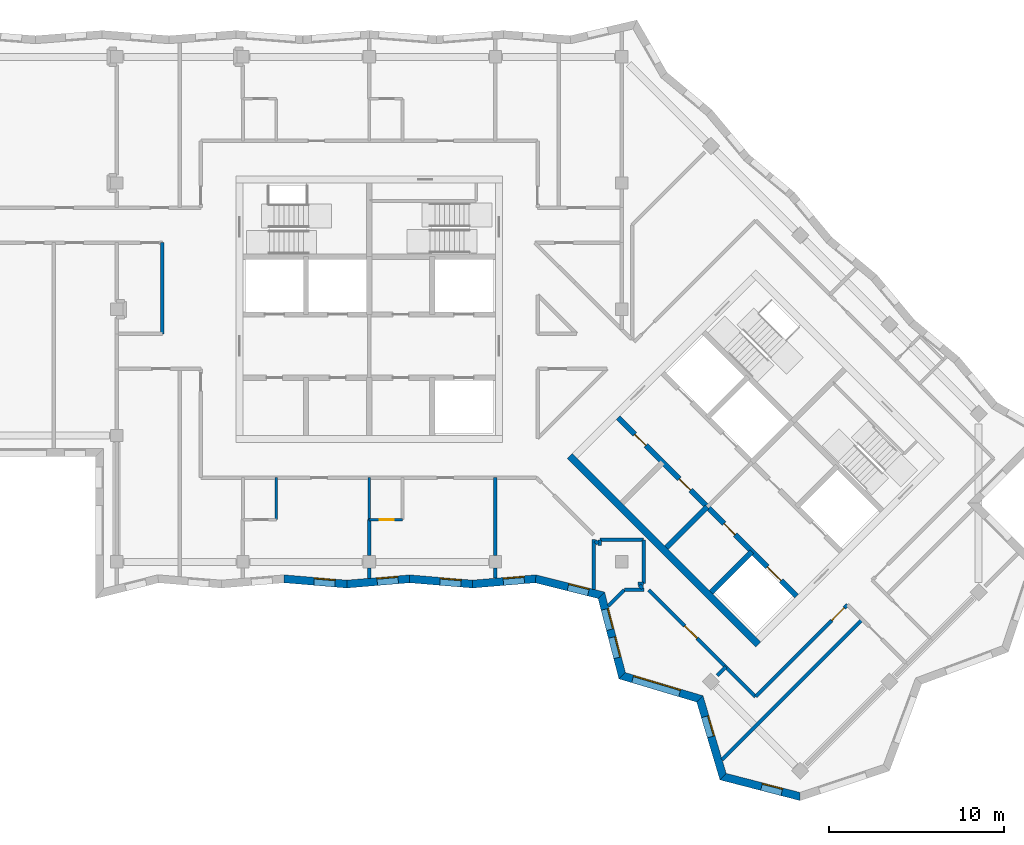
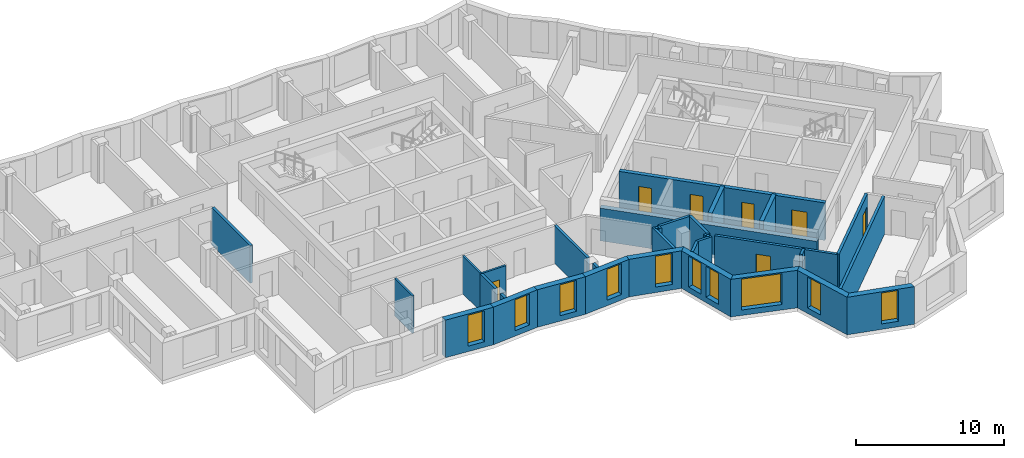
# One storey, part 3 of 13: 34 walls, 10 windows, 7 doors, 17 openings.
"""IFC4 building model written with IfcOpenShell, lengths in metres."""

from ifc_helpers import new_model, si_unit, direction, frame, frame_2d, origin, place, context, subcontext, project, spatial, polyline, rectangle, outline, extrude, material, layer, layer_set, type_object, element, fill, save


model = new_model("IFC4")

# Units and contexts
model_context = context("Model", 3, precision=1e-05, world=origin(), true_north=direction((0.0, 1.0)))
body_context = subcontext(model_context, "Body", "Model", "MODEL_VIEW")
ifc_project = project(units=[si_unit("LENGTHUNIT", "METRE"), si_unit("AREAUNIT", "SQUARE_METRE"), si_unit("VOLUMEUNIT", "CUBIC_METRE"), si_unit("PLANEANGLEUNIT", "RADIAN"), si_unit("MASSUNIT", "GRAM", prefix="KILO")], contexts=[model_context])

# Site, building, storey
site_placement = place(None, origin())
site = spatial("IfcSite", under=ifc_project, at=site_placement, CompositionType="ELEMENT")
building_placement = place(site_placement, origin())
building = spatial("IfcBuilding", under=site, at=building_placement, Name="Windrow Commons", CompositionType="ELEMENT")
storey_placement = place(building_placement, frame((0.0, 0.0, 243.8)))
storey = spatial("IfcBuildingStorey", under=building, at=storey_placement, Name="L66", CompositionType="ELEMENT", Elevation=243.8)

# Wall, opening, window
ifc_material_1 = material(Name="Brick masonry, red clay brick", Category="masonry")
ifc_layer_1 = layer(ifc_material_1, 0.45)
ifc_layer_set_1 = layer_set([ifc_layer_1], Name="Brick facade wall 450")
wall_type_1 = type_object("IfcWallType", Name="Brick facade wall 450", PredefinedType="SOLIDWALL", material=ifc_layer_set_1)
wall_1_placement = place(storey_placement, frame((59.946, 42.2258, 0.0), z_axis=(0.0, 0.0, 1.0), x_axis=(0.9965109432, -0.083462208, 0.0)))
wall_1 = element("IfcWall", 1, at=wall_1_placement, inside=storey, type_object=wall_type_1, Name="Brick facade wall L66 41", PredefinedType="SOLIDWALL", context=body_context, shape_type="SweptSolid", body=[
    extrude(outline(polyline([(0.0188, -0.225), (3.6134, -0.225), (3.5757, 0.225), (-0.0188, 0.225), (0.0188, -0.225)])), origin(), (0.0, 0.0, 1.0), 3.1),
])
opening_1_placement = place(wall_1_placement, frame((1.7171, 0.0, 0.45)))
opening_1 = element("IfcOpeningElement", 2, at=opening_1_placement, cuts=wall_1, Name="Opening W7F", PredefinedType="OPENING", context=body_context, shape_type="SweptSolid", body=[
    extrude(rectangle(XDim=1.2, YDim=2.55, at=frame_2d((0.6, 1.275))), frame((0.0, 0.235, 0.0), z_axis=(0.0, -1.0, 0.0), x_axis=(1.0, 0.0, 0.0)), (0.0, 0.0, 1.0), 0.47),
])
ifc_material_2 = material(Name="Clear float glass in anodised aluminium frame", Category="aluminium")
window_type_1 = type_object("IfcWindowType", Name="Window W7 notch 1200x2550", PartitioningType="SINGLE_PANEL", PredefinedType="WINDOW", material=ifc_material_2)
window_1_placement = place(opening_1_placement, origin())
window_1 = element("IfcWindow", 3, at=window_1_placement, inside=storey, type_object=window_type_1, Name="Window L66 41.1", OverallHeight=2.55, OverallWidth=1.2, PartitioningType="SINGLE_PANEL", PredefinedType="WINDOW", context=body_context, shape_type="SweptSolid", body=[
    extrude(rectangle(XDim=1.2, YDim=2.55, at=frame_2d((0.6, 1.275))), frame((0.0, 0.205, 0.0), z_axis=(0.0, -1.0, 0.0), x_axis=(1.0, 0.0, 0.0)), (0.0, 0.0, 1.0), 0.06),
])
fill(opening_1, window_1)

wall_2_placement = place(storey_placement, frame((63.5279, 41.9258, 0.0), z_axis=(0.0, 0.0, 1.0), x_axis=(0.9965111369, 0.0834598942, 0.0)))
wall_2 = element("IfcWall", 4, at=wall_2_placement, inside=storey, type_object=wall_type_1, Name="Brick facade wall L66 42", PredefinedType="SOLIDWALL", context=body_context, shape_type="SweptSolid", body=[
    extrude(outline(polyline([(-0.0188, -0.225), (3.5757, -0.225), (3.6134, 0.225), (0.0188, 0.225), (-0.0188, -0.225)])), origin(), (0.0, 0.0, 1.0), 3.1),
])
opening_2_placement = place(wall_2_placement, frame((1.7355, 0.0, 0.45)))
opening_2 = element("IfcOpeningElement", 5, at=opening_2_placement, cuts=wall_2, Name="Opening W7F", PredefinedType="OPENING", context=body_context, shape_type="SweptSolid", body=[
    extrude(rectangle(XDim=1.2, YDim=2.55, at=frame_2d((0.6, 1.275))), frame((0.0, 0.235, 0.0), z_axis=(0.0, -1.0, 0.0), x_axis=(1.0, 0.0, 0.0)), (0.0, 0.0, 1.0), 0.47),
])
window_2_placement = place(opening_2_placement, origin())
window_2 = element("IfcWindow", 6, at=window_2_placement, inside=storey, type_object=window_type_1, Name="Window L66 42.1", OverallHeight=2.55, OverallWidth=1.2, PartitioningType="SINGLE_PANEL", PredefinedType="WINDOW", context=body_context, shape_type="SweptSolid", body=[
    extrude(rectangle(XDim=1.2, YDim=2.55, at=frame_2d((0.6, 1.275))), frame((0.0, 0.205, 0.0), z_axis=(0.0, -1.0, 0.0), x_axis=(1.0, 0.0, 0.0)), (0.0, 0.0, 1.0), 0.06),
])
fill(opening_2, window_2)

wall_3_placement = place(storey_placement, frame((67.1099, 42.2258, 0.0), z_axis=(0.0, 0.0, 1.0), x_axis=(0.9965111369, -0.0834598942, 0.0)))
wall_3 = element("IfcWall", 7, at=wall_3_placement, inside=storey, type_object=wall_type_1, Name="Brick facade wall L66 43", PredefinedType="SOLIDWALL", context=body_context, shape_type="SweptSolid", body=[
    extrude(outline(polyline([(0.0188, -0.225), (3.6134, -0.225), (3.5757, 0.225), (-0.0188, 0.225), (0.0188, -0.225)])), origin(), (0.0, 0.0, 1.0), 3.1),
])
opening_3_placement = place(wall_3_placement, frame((1.7351, 0.0, 0.45)))
opening_3 = element("IfcOpeningElement", 8, at=opening_3_placement, cuts=wall_3, Name="Opening W7F", PredefinedType="OPENING", context=body_context, shape_type="SweptSolid", body=[
    extrude(rectangle(XDim=1.2, YDim=2.55, at=frame_2d((0.6, 1.275))), frame((0.0, 0.235, 0.0), z_axis=(0.0, -1.0, 0.0), x_axis=(1.0, 0.0, 0.0)), (0.0, 0.0, 1.0), 0.47),
])
window_3_placement = place(opening_3_placement, origin())
window_3 = element("IfcWindow", 9, at=window_3_placement, inside=storey, type_object=window_type_1, Name="Window L66 43.1", OverallHeight=2.55, OverallWidth=1.2, PartitioningType="SINGLE_PANEL", PredefinedType="WINDOW", context=body_context, shape_type="SweptSolid", body=[
    extrude(rectangle(XDim=1.2, YDim=2.55, at=frame_2d((0.6, 1.275))), frame((0.0, 0.205, 0.0), z_axis=(0.0, -1.0, 0.0), x_axis=(1.0, 0.0, 0.0)), (0.0, 0.0, 1.0), 0.06),
])
fill(opening_3, window_3)

wall_4_placement = place(storey_placement, frame((70.6919, 41.9258, 0.0), z_axis=(0.0, 0.0, 1.0), x_axis=(0.9965122743, 0.0834463132, 0.0)))
wall_4 = element("IfcWall", 10, at=wall_4_placement, inside=storey, type_object=wall_type_1, Name="Brick facade wall L66 44", PredefinedType="SOLIDWALL", context=body_context, shape_type="SweptSolid", body=[
    extrude(outline(polyline([(-0.0188, -0.225), (3.5757, -0.225), (3.6506, 0.225), (0.0188, 0.225), (-0.0188, -0.225)])), origin(), (0.0, 0.0, 1.0), 3.1),
])
opening_4_placement = place(wall_4_placement, frame((1.7629, 0.0, 0.45)))
opening_4 = element("IfcOpeningElement", 11, at=opening_4_placement, cuts=wall_4, Name="Opening W7F", PredefinedType="OPENING", context=body_context, shape_type="SweptSolid", body=[
    extrude(rectangle(XDim=1.2, YDim=2.55, at=frame_2d((0.6, 1.275))), frame((0.0, 0.235, 0.0), z_axis=(0.0, -1.0, 0.0), x_axis=(1.0, 0.0, 0.0)), (0.0, 0.0, 1.0), 0.47),
])
window_4_placement = place(opening_4_placement, origin())
window_4 = element("IfcWindow", 12, at=window_4_placement, inside=storey, type_object=window_type_1, Name="Window L66 44.1", OverallHeight=2.55, OverallWidth=1.2, PartitioningType="SINGLE_PANEL", PredefinedType="WINDOW", context=body_context, shape_type="SweptSolid", body=[
    extrude(rectangle(XDim=1.2, YDim=2.55, at=frame_2d((0.6, 1.275))), frame((0.0, 0.205, 0.0), z_axis=(0.0, -1.0, 0.0), x_axis=(1.0, 0.0, 0.0)), (0.0, 0.0, 1.0), 0.06),
])
fill(opening_4, window_4)

wall_5_placement = place(storey_placement, frame((74.2924, 42.2273, 0.0), z_axis=(0.0, 0.0, 1.0), x_axis=(0.9698602389, -0.2436618909, 0.0)))
wall_5 = element("IfcWall", 13, at=wall_5_placement, inside=storey, type_object=wall_type_1, Name="Brick facade wall L66 45", PredefinedType="SOLIDWALL", context=body_context, shape_type="SweptSolid", body=[
    extrude(outline(polyline([(0.0374, -0.225), (3.7308, -0.225), (3.9979, 0.225), (-0.0374, 0.225), (0.0374, -0.225)])), origin(), (0.0, 0.0, 1.0), 3.1),
])
opening_5_placement = place(wall_5_placement, frame((1.9063, 0.0, 0.45)))
opening_5 = element("IfcOpeningElement", 14, at=opening_5_placement, cuts=wall_5, Name="Opening W7F", PredefinedType="OPENING", context=body_context, shape_type="SweptSolid", body=[
    extrude(rectangle(XDim=1.2, YDim=2.55, at=frame_2d((0.6, 1.275))), frame((0.0, 0.235, 0.0), z_axis=(0.0, -1.0, 0.0), x_axis=(1.0, 0.0, 0.0)), (0.0, 0.0, 1.0), 0.47),
])
window_5_placement = place(opening_5_placement, origin())
window_5 = element("IfcWindow", 15, at=window_5_placement, inside=storey, type_object=window_type_1, Name="Window L66 45.1", OverallHeight=2.55, OverallWidth=1.2, PartitioningType="SINGLE_PANEL", PredefinedType="WINDOW", context=body_context, shape_type="SweptSolid", body=[
    extrude(rectangle(XDim=1.2, YDim=2.55, at=frame_2d((0.6, 1.275))), frame((0.0, 0.205, 0.0), z_axis=(0.0, -1.0, 0.0), x_axis=(1.0, 0.0, 0.0)), (0.0, 0.0, 1.0), 0.06),
])
fill(opening_5, window_5)

# Wall, openings, windows
wall_6_placement = place(storey_placement, frame((78.0403, 41.2857, 0.0), z_axis=(0.0, 0.0, 1.0), x_axis=(0.2504616436, -0.9681265233, 0.0)))
wall_6 = element("IfcWall", 16, at=wall_6_placement, inside=storey, type_object=wall_type_1, Name="Brick facade wall L66 46", PredefinedType="SOLIDWALL", context=body_context, shape_type="SweptSolid", body=[
    extrude(outline(polyline([(0.1336, -0.225), (4.863, -0.225), (4.6091, 0.225), (-0.1336, 0.225), (0.1336, -0.225)])), origin(), (0.0, 0.0, 1.0), 3.1),
])
opening_6_placement = place(wall_6_placement, frame((0.8206, 0.0, 0.45)))
opening_6 = element("IfcOpeningElement", 17, at=opening_6_placement, cuts=wall_6, Name="Opening W7F", PredefinedType="OPENING", context=body_context, shape_type="SweptSolid", body=[
    extrude(rectangle(XDim=1.2, YDim=2.55, at=frame_2d((0.6, 1.275))), frame((0.0, 0.235, 0.0), z_axis=(0.0, -1.0, 0.0), x_axis=(1.0, 0.0, 0.0)), (0.0, 0.0, 1.0), 0.47),
])
opening_7_placement = place(wall_6_placement, frame((2.4751, 0.0, 0.45)))
opening_7 = element("IfcOpeningElement", 18, at=opening_7_placement, cuts=wall_6, Name="Opening W7F", PredefinedType="OPENING", context=body_context, shape_type="SweptSolid", body=[
    extrude(rectangle(XDim=1.2, YDim=2.55, at=frame_2d((0.6, 1.275))), frame((0.0, 0.235, 0.0), z_axis=(0.0, -1.0, 0.0), x_axis=(1.0, 0.0, 0.0)), (0.0, 0.0, 1.0), 0.47),
])
window_6_placement = place(opening_6_placement, origin())
window_6 = element("IfcWindow", 19, at=window_6_placement, inside=storey, type_object=window_type_1, Name="Window L66 46.1", OverallHeight=2.55, OverallWidth=1.2, PartitioningType="SINGLE_PANEL", PredefinedType="WINDOW", context=body_context, shape_type="SweptSolid", body=[
    extrude(rectangle(XDim=1.2, YDim=2.55, at=frame_2d((0.6, 1.275))), frame((0.0, 0.205, 0.0), z_axis=(0.0, -1.0, 0.0), x_axis=(1.0, 0.0, 0.0)), (0.0, 0.0, 1.0), 0.06),
])
fill(opening_6, window_6)
window_7_placement = place(opening_7_placement, origin())
window_7 = element("IfcWindow", 20, at=window_7_placement, inside=storey, type_object=window_type_1, Name="Window L66 46.2", OverallHeight=2.55, OverallWidth=1.2, PartitioningType="SINGLE_PANEL", PredefinedType="WINDOW", context=body_context, shape_type="SweptSolid", body=[
    extrude(rectangle(XDim=1.2, YDim=2.55, at=frame_2d((0.6, 1.275))), frame((0.0, 0.205, 0.0), z_axis=(0.0, -1.0, 0.0), x_axis=(1.0, 0.0, 0.0)), (0.0, 0.0, 1.0), 0.06),
])
fill(opening_7, window_7)

# Wall, opening, window
wall_7_placement = place(storey_placement, frame((79.2265, 36.7006, 0.0), z_axis=(0.0, 0.0, 1.0), x_axis=(0.9581351334, -0.2863163742, 0.0)))
wall_7 = element("IfcWall", 21, at=wall_7_placement, inside=storey, type_object=wall_type_1, Name="Brick facade wall L66 47", PredefinedType="SOLIDWALL", context=body_context, shape_type="SweptSolid", body=[
    extrude(outline(polyline([(-0.1269, -0.225), (4.5042, -0.225), (4.7471, 0.225), (0.1269, 0.225), (-0.1269, -0.225)])), origin(), (0.0, 0.0, 1.0), 3.1),
])
opening_8_placement = place(wall_7_placement, frame((0.6283, 0.0, 0.45)))
opening_8 = element("IfcOpeningElement", 22, at=opening_8_placement, cuts=wall_7, Name="Opening W1V", PredefinedType="OPENING", context=body_context, shape_type="SweptSolid", body=[
    extrude(rectangle(XDim=2.8, YDim=2.55, at=frame_2d((1.4, 1.275))), frame((0.0, 0.235, 0.0), z_axis=(0.0, -1.0, 0.0), x_axis=(1.0, 0.0, 0.0)), (0.0, 0.0, 1.0), 0.47),
])
ifc_material_3 = material(Name="Clear float glass in anodised aluminium frame", Category="aluminium")
window_type_2 = type_object("IfcWindowType", Name="Window W1V bedroom 2800x2550", PartitioningType="SINGLE_PANEL", PredefinedType="WINDOW", material=ifc_material_3)
window_8_placement = place(opening_8_placement, origin())
window_8 = element("IfcWindow", 23, at=window_8_placement, inside=storey, type_object=window_type_2, Name="Window L66 47.1", OverallHeight=2.55, OverallWidth=2.8, PartitioningType="SINGLE_PANEL", PredefinedType="WINDOW", context=body_context, shape_type="SweptSolid", body=[
    extrude(rectangle(XDim=2.8, YDim=2.55, at=frame_2d((1.4, 1.275))), frame((0.0, 0.205, 0.0), z_axis=(0.0, -1.0, 0.0), x_axis=(1.0, 0.0, 0.0)), (0.0, 0.0, 1.0), 0.06),
])
fill(opening_8, window_8)

wall_8_placement = place(storey_placement, frame((83.6585, 35.3762, 0.0), z_axis=(0.0, 0.0, 1.0), x_axis=(0.2863163742, -0.9581351334, 0.0)))
wall_8 = element("IfcWall", 24, at=wall_8_placement, inside=storey, type_object=wall_type_1, Name="Brick facade wall L66 48", PredefinedType="SOLIDWALL", context=body_context, shape_type="SweptSolid", body=[
    extrude(outline(polyline([(0.1215, -0.225), (4.7526, -0.225), (4.4987, 0.225), (-0.1215, 0.225), (0.1215, -0.225)])), origin(), (0.0, 0.0, 1.0), 3.1),
])
opening_9_placement = place(wall_8_placement, frame((1.0531, 0.0, 0.45)))
opening_9 = element("IfcOpeningElement", 25, at=opening_9_placement, cuts=wall_8, Name="Opening W7F", PredefinedType="OPENING", context=body_context, shape_type="SweptSolid", body=[
    extrude(rectangle(XDim=1.2, YDim=2.55, at=frame_2d((0.6, 1.275))), frame((0.0, 0.235, 0.0), z_axis=(0.0, -1.0, 0.0), x_axis=(1.0, 0.0, 0.0)), (0.0, 0.0, 1.0), 0.47),
])
window_9_placement = place(opening_9_placement, origin())
window_9 = element("IfcWindow", 26, at=window_9_placement, inside=storey, type_object=window_type_1, Name="Window L66 48.1", OverallHeight=2.55, OverallWidth=1.2, PartitioningType="SINGLE_PANEL", PredefinedType="WINDOW", context=body_context, shape_type="SweptSolid", body=[
    extrude(rectangle(XDim=1.2, YDim=2.55, at=frame_2d((0.6, 1.275))), frame((0.0, 0.205, 0.0), z_axis=(0.0, -1.0, 0.0), x_axis=(1.0, 0.0, 0.0)), (0.0, 0.0, 1.0), 0.06),
])
fill(opening_9, window_9)

wall_9_placement = place(storey_placement, frame((84.9829, 30.9442, 0.0), z_axis=(0.0, 0.0, 1.0), x_axis=(0.9681259004, -0.2504640514, 0.0)))
wall_9 = element("IfcWall", 27, at=wall_9_placement, inside=storey, type_object=wall_type_1, Name="Brick facade wall L66 49", PredefinedType="SOLIDWALL", context=body_context, shape_type="SweptSolid", body=[
    extrude(outline(polyline([(-0.1269, -0.225), (4.6025, -0.225), (4.4694, 0.225), (0.1269, 0.225), (-0.1269, -0.225)])), origin(), (0.0, 0.0, 1.0), 3.1),
])
opening_10_placement = place(wall_9_placement, frame((2.2666, 0.0, 0.45)))
opening_10 = element("IfcOpeningElement", 28, at=opening_10_placement, cuts=wall_9, Name="Opening W7F", PredefinedType="OPENING", context=body_context, shape_type="SweptSolid", body=[
    extrude(rectangle(XDim=1.2, YDim=2.55, at=frame_2d((0.6, 1.275))), frame((0.0, 0.235, 0.0), z_axis=(0.0, -1.0, 0.0), x_axis=(1.0, 0.0, 0.0)), (0.0, 0.0, 1.0), 0.47),
])
window_10_placement = place(opening_10_placement, origin())
window_10 = element("IfcWindow", 29, at=window_10_placement, inside=storey, type_object=window_type_1, Name="Window L66 49.1", OverallHeight=2.55, OverallWidth=1.2, PartitioningType="SINGLE_PANEL", PredefinedType="WINDOW", context=body_context, shape_type="SweptSolid", body=[
    extrude(rectangle(XDim=1.2, YDim=2.55, at=frame_2d((0.6, 1.275))), frame((0.0, 0.205, 0.0), z_axis=(0.0, -1.0, 0.0), x_axis=(1.0, 0.0, 0.0)), (0.0, 0.0, 1.0), 0.06),
])
fill(opening_10, window_10)

# Wall, opening, door
ifc_material_4 = material(Name="Blockwork partition", Category="masonry")
ifc_layer_2 = layer(ifc_material_4, 0.2)
ifc_layer_set_2 = layer_set([ifc_layer_2], Name="IW-CORRIDOR-200")
wall_type_2 = type_object("IfcWallType", Name="IW-CORRIDOR-200", PredefinedType="PARTITIONING", material=ifc_layer_set_2)
wall_10_placement = place(storey_placement, frame((80.7468, 41.5968, 0.0), z_axis=(0.0, 0.0, 1.0), x_axis=(0.7071067812, -0.7071067812, 0.0)))
wall_10 = element("IfcWall", 30, at=wall_10_placement, inside=storey, type_object=wall_type_2, Name="W-L66-W011", PredefinedType="PARTITIONING", context=body_context, shape_type="SweptSolid", body=[
    extrude(rectangle(XDim=8.6069, YDim=0.2, at=frame_2d((4.3034, 0.0))), origin(), (0.0, 0.0, 1.0), 3.1),
])
opening_11_placement = place(wall_10_placement, frame((2.9026, 0.0, 0.0)))
opening_11 = element("IfcOpeningElement", 31, at=opening_11_placement, cuts=wall_10, Name="Opening D310F", PredefinedType="OPENING", context=body_context, shape_type="SweptSolid", body=[
    extrude(rectangle(XDim=1.0, YDim=2.1, at=frame_2d((0.5, 1.05))), frame((0.0, 0.11, 0.0), z_axis=(0.0, -1.0, 0.0), x_axis=(1.0, 0.0, 0.0)), (0.0, 0.0, 1.0), 0.22),
])
ifc_material_5 = material(Name="Timber door leaf", Category="wood")
door_type_1 = type_object("IfcDoorType", Name="DT-AMENITY-1000", OperationType="SINGLE_SWING_LEFT", PredefinedType="DOOR", material=ifc_material_5)
door_1_placement = place(opening_11_placement, origin())
door_1 = element("IfcDoor", 32, at=door_1_placement, inside=storey, type_object=door_type_1, Name="D-L66-D031", OperationType="SINGLE_SWING_RIGHT", OverallHeight=2.1, OverallWidth=1.0, PredefinedType="DOOR", context=body_context, shape_type="SweptSolid", body=[
    extrude(rectangle(XDim=1.0, YDim=2.1, at=frame_2d((0.5, 1.05))), frame((0.0, 0.025, 0.0), z_axis=(0.0, -1.0, 0.0), x_axis=(1.0, 0.0, 0.0)), (0.0, 0.0, 1.0), 0.05),
])
fill(opening_11, door_1)

wall_11_placement = place(storey_placement, frame((86.8359, 35.5141, 0.0), z_axis=(0.0, 0.0, 1.0), x_axis=(0.7071067812, 0.7071067812, 0.0)))
wall_11 = element("IfcWall", 33, at=wall_11_placement, inside=storey, type_object=wall_type_2, Name="W-L66-W012", PredefinedType="PARTITIONING", context=body_context, shape_type="SweptSolid", body=[
    extrude(rectangle(XDim=7.3992, YDim=0.2, at=frame_2d((3.6996, 0.0))), origin(), (0.0, 0.0, 1.0), 3.1),
])
opening_12_placement = place(wall_11_placement, frame((6.1416, 0.0, 0.0)))
opening_12 = element("IfcOpeningElement", 34, at=opening_12_placement, cuts=wall_11, Name="Opening D310F", PredefinedType="OPENING", context=body_context, shape_type="SweptSolid", body=[
    extrude(rectangle(XDim=1.0, YDim=2.1, at=frame_2d((0.5, 1.05))), frame((0.0, 0.11, 0.0), z_axis=(0.0, -1.0, 0.0), x_axis=(1.0, 0.0, 0.0)), (0.0, 0.0, 1.0), 0.22),
])
door_2_placement = place(opening_12_placement, origin())
door_2 = element("IfcDoor", 35, at=door_2_placement, inside=storey, type_object=door_type_1, Name="D-L66-D032", OperationType="SINGLE_SWING_RIGHT", OverallHeight=2.1, OverallWidth=1.0, PredefinedType="DOOR", context=body_context, shape_type="SweptSolid", body=[
    extrude(rectangle(XDim=1.0, YDim=2.1, at=frame_2d((0.5, 1.05))), frame((0.0, 0.025, 0.0), z_axis=(0.0, -1.0, 0.0), x_axis=(1.0, 0.0, 0.0)), (0.0, 0.0, 1.0), 0.05),
])
fill(opening_12, door_2)

# Walls
wall_12_placement = place(storey_placement, frame((53.0, 56.202, 0.0), z_axis=(0.0, 0.0, 1.0), x_axis=(0.0, 1.0, 0.0)))
element("IfcWall", 36, at=wall_12_placement, inside=storey, type_object=wall_type_2, Name="W-L66-W028", PredefinedType="PARTITIONING", context=body_context, shape_type="SweptSolid", body=[
    extrude(rectangle(XDim=5.198, YDim=0.2, at=frame_2d((2.599, 0.0))), origin(), (0.0, 0.0, 1.0), 3.1),
])
for number, where, z_axis, x_axis, name in (
    (37, (80.45, 41.952, 0.0), (0.0, 0.0, 1.0), (0.0, 1.0, 0.0), "W-L66-W059"),
    (38, (77.952, 44.45, 0.0), (0.0, 0.0, 1.0), (1.0, 0.0, 0.0), "W-L66-W060"),
):
    element("IfcWall", number, at=place(storey_placement, frame(where, z_axis=z_axis, x_axis=x_axis)), inside=storey, type_object=wall_type_2, Name=name, PredefinedType="PARTITIONING", context=body_context, shape_type="SweptSolid", body=[
        extrude(rectangle(XDim=2.498, YDim=0.2, at=frame_2d((1.249, 0.0))), origin(), (0.0, 0.0, 1.0), 3.1),
    ])
for number, where, z_axis, x_axis, name in (
    (39, (80.2205, 41.8545, 0.0), (0.0, 0.0, 1.0), (0.7068844555, -0.707329037, 0.0), "W-L66-W116"),
    (40, (77.6954, 44.3795, 0.0), (0.0, 0.0, 1.0), (0.707329037, -0.7068844555, 0.0), "W-L66-W117"),
):
    element("IfcWall", number, at=place(storey_placement, frame(where, z_axis=z_axis, x_axis=x_axis)), inside=storey, type_object=wall_type_2, Name=name, PredefinedType="PARTITIONING", context=body_context, shape_type="SweptSolid", body=[
        extrude(rectangle(XDim=0.2249, YDim=0.2, at=frame_2d((0.1124, 0.0))), origin(), (0.0, 0.0, 1.0), 3.1),
    ])
for number, where, z_axis, x_axis, name in (
    (41, (80.118, 41.95, 0.0), (0.0, 0.0, 1.0), (1.0, 0.0, 0.0), "W-L66-W132"),
    (42, (77.95, 44.118, 0.0), (0.0, 0.0, 1.0), (0.0, 1.0, 0.0), "W-L66-W133"),
):
    element("IfcWall", number, at=place(storey_placement, frame(where, z_axis=z_axis, x_axis=x_axis)), inside=storey, type_object=wall_type_2, Name=name, PredefinedType="PARTITIONING", context=body_context, shape_type="SweptSolid", body=[
        extrude(rectangle(XDim=0.332, YDim=0.2, at=frame_2d((0.166, 0.0))), origin(), (0.0, 0.0, 1.0), 3.1),
    ])
ifc_material_6 = material(Name="Blockwork partition", Category="masonry")
ifc_layer_3 = layer(ifc_material_6, 0.15)
ifc_layer_set_3 = layer_set([ifc_layer_3], Name="IW-ENSUITE-150")
wall_type_3 = type_object("IfcWallType", Name="IW-ENSUITE-150", PredefinedType="PARTITIONING", material=ifc_layer_set_3)
for number, where, z_axis, x_axis, name in (
    (43, (59.5, 45.6, 0.0), (0.0, 0.0, 1.0), (0.0, 1.0, 0.0), "W-L66-W061"),
    (44, (64.8, 45.6, 0.0), (0.0, 0.0, 1.0), (0.0, 1.0, 0.0), "W-L66-W064"),
):
    element("IfcWall", number, at=place(storey_placement, frame(where, z_axis=z_axis, x_axis=x_axis)), inside=storey, type_object=wall_type_3, Name=name, PredefinedType="PARTITIONING", context=body_context, shape_type="SweptSolid", body=[
        extrude(rectangle(XDim=2.4, YDim=0.15, at=frame_2d((1.2, 0.0))), origin(), (0.0, 0.0, 1.0), 3.1),
    ])

# Wall, opening, door
wall_13_placement = place(storey_placement, frame((64.8, 45.6, 0.0), z_axis=(0.0, 0.0, 1.0), x_axis=(1.0, 0.0, 0.0)))
wall_13 = element("IfcWall", 45, at=wall_13_placement, inside=storey, type_object=wall_type_3, Name="W-L66-W084", PredefinedType="PARTITIONING", context=body_context, shape_type="SweptSolid", body=[
    extrude(rectangle(XDim=1.9, YDim=0.15, at=frame_2d((0.95, 0.0))), origin(), (0.0, 0.0, 1.0), 3.1),
])
opening_13_placement = place(wall_13_placement, frame((0.6069, 0.0, 0.0)))
opening_13 = element("IfcOpeningElement", 46, at=opening_13_placement, cuts=wall_13, Name="Opening D208N", PredefinedType="OPENING", context=body_context, shape_type="SweptSolid", body=[
    extrude(rectangle(XDim=0.8, YDim=2.1, at=frame_2d((0.4, 1.05))), frame((0.0, 0.085, 0.0), z_axis=(0.0, -1.0, 0.0), x_axis=(1.0, 0.0, 0.0)), (0.0, 0.0, 1.0), 0.17),
])
ifc_material_7 = material(Name="Timber door leaf", Category="wood")
door_type_2 = type_object("IfcDoorType", Name="DT-ENSUITE-800", OperationType="SINGLE_SWING_LEFT", PredefinedType="DOOR", material=ifc_material_7)
door_3_placement = place(opening_13_placement, origin())
door_3 = element("IfcDoor", 47, at=door_3_placement, inside=storey, type_object=door_type_2, Name="D-L66-D024", OperationType="SINGLE_SWING_RIGHT", OverallHeight=2.1, OverallWidth=0.8, PredefinedType="DOOR", context=body_context, shape_type="SweptSolid", body=[
    extrude(rectangle(XDim=0.8, YDim=2.1, at=frame_2d((0.4, 1.05))), frame((0.0, 0.025, 0.0), z_axis=(0.0, -1.0, 0.0), x_axis=(1.0, 0.0, 0.0)), (0.0, 0.0, 1.0), 0.05),
])
fill(opening_13, door_3)

# Walls
ifc_material_8 = material(Name="Blockwork partition", Category="masonry")
ifc_layer_4 = layer(ifc_material_8, 0.2)
ifc_layer_set_4 = layer_set([ifc_layer_4], Name="IW-PARTY-200")
wall_type_4 = type_object("IfcWallType", Name="IW-PARTY-200", PredefinedType="PARTITIONING", material=ifc_layer_set_4)
wall_14_placement = place(storey_placement, frame((84.929, 31.9102, 0.0), z_axis=(0.0, 0.0, 1.0), x_axis=(0.7071067812, 0.7071067812, 0.0)))
element("IfcWall", 48, at=wall_14_placement, inside=storey, type_object=wall_type_4, Name="W-L66-W006", PredefinedType="PARTITIONING", context=body_context, shape_type="SweptSolid", body=[
    extrude(rectangle(XDim=11.2973, YDim=0.2, at=frame_2d((5.6486, 0.0))), origin(), (0.0, 0.0, 1.0), 3.1),
])
wall_15_placement = place(storey_placement, frame((72.0, 43.55, 0.0), z_axis=(0.0, 0.0, 1.0), x_axis=(0.0, 1.0, 0.0)))
element("IfcWall", 49, at=wall_15_placement, inside=storey, type_object=wall_type_4, Name="W-L66-W039", PredefinedType="PARTITIONING", context=body_context, shape_type="SweptSolid", body=[
    extrude(rectangle(XDim=4.45, YDim=0.2, at=frame_2d((2.225, 0.0))), origin(), (0.0, 0.0, 1.0), 3.1),
])
wall_16_placement = place(storey_placement, frame((77.6, 41.6283, 0.0), z_axis=(0.0, 0.0, 1.0), x_axis=(0.0, 1.0, 0.0)))
element("IfcWall", 50, at=wall_16_placement, inside=storey, type_object=wall_type_4, Name="W-L66-W053", PredefinedType="PARTITIONING", context=body_context, shape_type="SweptSolid", body=[
    extrude(rectangle(XDim=2.8397, YDim=0.2, at=frame_2d((1.4199, 0.0))), origin(), (0.0, 0.0, 1.0), 3.1),
])
wall_17_placement = place(storey_placement, frame((64.8, 43.55, 0.0), z_axis=(0.0, 0.0, 1.0), x_axis=(0.0, 1.0, 0.0)))
element("IfcWall", 51, at=wall_17_placement, inside=storey, type_object=wall_type_4, Name="W-L66-W076", PredefinedType="PARTITIONING", context=body_context, shape_type="SweptSolid", body=[
    extrude(rectangle(XDim=2.05, YDim=0.2, at=frame_2d((1.025, 0.0))), origin(), (0.0, 0.0, 1.0), 3.1),
])
wall_18_placement = place(storey_placement, frame((78.4298, 40.6782, 0.0), z_axis=(0.0, 0.0, 1.0), x_axis=(0.7059516948, 0.7082599837, 0.0)))
element("IfcWall", 52, at=wall_18_placement, inside=storey, type_object=wall_type_4, Name="W-L66-W092", PredefinedType="PARTITIONING", context=body_context, shape_type="SweptSolid", body=[
    extrude(rectangle(XDim=1.2997, YDim=0.2, at=frame_2d((0.6499, 0.0))), origin(), (0.0, 0.0, 1.0), 3.1),
])
wall_19_placement = place(storey_placement, frame((79.348, 41.6, 0.0), z_axis=(0.0, 0.0, 1.0), x_axis=(1.0, 0.0, 0.0)))
element("IfcWall", 53, at=wall_19_placement, inside=storey, type_object=wall_type_4, Name="W-L66-W093", PredefinedType="PARTITIONING", context=body_context, shape_type="SweptSolid", body=[
    extrude(rectangle(XDim=1.12, YDim=0.2, at=frame_2d((0.56, 0.0))), origin(), (0.0, 0.0, 1.0), 3.1),
])
wall_20_placement = place(storey_placement, frame((84.6408, 36.7132, 0.0), z_axis=(0.0, 0.0, 1.0), x_axis=(0.7071067812, 0.7071067812, 0.0)))
element("IfcWall", 54, at=wall_20_placement, inside=storey, type_object=wall_type_4, Name="W-L66-W110", PredefinedType="PARTITIONING", context=body_context, shape_type="SweptSolid", body=[
    extrude(rectangle(XDim=0.7043, YDim=0.2, at=frame_2d((0.3522, 0.0))), origin(), (0.0, 0.0, 1.0), 3.1),
])
wall_21_placement = place(storey_placement, frame((64.8, 42.2581, 0.0), z_axis=(0.0, 0.0, 1.0), x_axis=(0.0, 1.0, 0.0)))
element("IfcWall", 55, at=wall_21_placement, inside=storey, type_object=wall_type_4, Name="W-L66-W114", PredefinedType="PARTITIONING", context=body_context, shape_type="SweptSolid", body=[
    extrude(rectangle(XDim=0.5919, YDim=0.2, at=frame_2d((0.2959, 0.0))), origin(), (0.0, 0.0, 1.0), 3.1),
])
wall_22_placement = place(storey_placement, frame((72.0, 42.2611, 0.0), z_axis=(0.0, 0.0, 1.0), x_axis=(0.0, 1.0, 0.0)))
element("IfcWall", 56, at=wall_22_placement, inside=storey, type_object=wall_type_4, Name="W-L66-W115", PredefinedType="PARTITIONING", context=body_context, shape_type="SweptSolid", body=[
    extrude(rectangle(XDim=0.5889, YDim=0.2, at=frame_2d((0.2944, 0.0))), origin(), (0.0, 0.0, 1.0), 3.1),
])
ifc_material_9 = material(Name="Concrete C40/50", Category="concrete")
ifc_layer_5 = layer(ifc_material_9, 0.4)
ifc_layer_set_5 = layer_set([ifc_layer_5], Name="RC CORE WALL 400 C40/50")
wall_type_5 = type_object("IfcWallType", Name="RC CORE WALL 400 C40/50", PredefinedType="SHEAR", material=ifc_layer_set_5)
wall_23_placement = place(storey_placement, frame((76.2302, 49.2312, -0.3), z_axis=(0.0, 0.0, 1.0), x_axis=(0.7071034917, -0.7071100706, 0.0)))
element("IfcWall", 57, at=wall_23_placement, inside=storey, type_object=wall_type_5, Name="Core B wall outer-S", PredefinedType="SHEAR", context=body_context, shape_type="SweptSolid", body=[
    extrude(rectangle(XDim=15.2, YDim=0.4, at=frame_2d((7.6, 0.0))), origin(), (0.0, 0.0, 1.0), 2.7),
])
ifc_material_10 = material(Name="Concrete C40/50", Category="concrete")
ifc_layer_6 = layer(ifc_material_10, 0.3)
ifc_layer_set_6 = layer_set([ifc_layer_6], Name="RC SHAFT WALL 300 C40/50")
wall_type_6 = type_object("IfcWallType", Name="RC SHAFT WALL 300 C40/50", PredefinedType="SOLIDWALL", material=ifc_layer_set_6)
for number, where, z_axis, x_axis, name in (
    (58, (81.7456, 43.9986, 0.0), (0.0, 0.0, 1.0), (0.7071067812, 0.7071067812, 0.0), "Core B wall shaft-S2"),
    (59, (84.2912, 41.453, 0.0), (0.0, 0.0, 1.0), (0.7071067812, 0.7071067812, 0.0), "Core B wall shaft-S3"),
):
    element("IfcWall", number, at=place(storey_placement, frame(where, z_axis=z_axis, x_axis=x_axis)), inside=storey, type_object=wall_type_6, Name=name, PredefinedType="SOLIDWALL", context=body_context, shape_type="SweptSolid", body=[
        extrude(rectangle(XDim=3.2999, YDim=0.3, at=frame_2d((1.65, 0.0))), origin(), (0.0, 0.0, 1.0), 3.1),
    ])

# Wall, openings, doors
wall_24_placement = place(storey_placement, frame((78.9879, 51.4232, 0.0), z_axis=(0.0, 0.0, 1.0), x_axis=(0.7071067812, -0.7071067812, 0.0)))
wall_24 = element("IfcWall", 60, at=wall_24_placement, inside=storey, type_object=wall_type_6, Name="Core B wall lobby-S", PredefinedType="SOLIDWALL", context=body_context, shape_type="SweptSolid", body=[
    extrude(rectangle(XDim=14.3999, YDim=0.3, at=frame_2d((7.2, 0.0))), origin(), (0.0, 0.0, 1.0), 3.1),
])
opening_14_placement = place(wall_24_placement, frame((1.35, 0.0, 0.0)))
opening_14 = element("IfcOpeningElement", 61, at=opening_14_placement, cuts=wall_24, Name="Opening D8", PredefinedType="OPENING", context=body_context, shape_type="SweptSolid", body=[
    extrude(rectangle(XDim=0.9, YDim=2.1, at=frame_2d((0.45, 1.05))), frame((0.0, 0.16, 0.0), z_axis=(0.0, -1.0, 0.0), x_axis=(1.0, 0.0, 0.0)), (0.0, 0.0, 1.0), 0.32),
])
opening_15_placement = place(wall_24_placement, frame((4.95, 0.0, 0.0)))
opening_15 = element("IfcOpeningElement", 62, at=opening_15_placement, cuts=wall_24, Name="Opening D8", PredefinedType="OPENING", context=body_context, shape_type="SweptSolid", body=[
    extrude(rectangle(XDim=0.9, YDim=2.1, at=frame_2d((0.45, 1.05))), frame((0.0, 0.16, 0.0), z_axis=(0.0, -1.0, 0.0), x_axis=(1.0, 0.0, 0.0)), (0.0, 0.0, 1.0), 0.32),
])
opening_16_placement = place(wall_24_placement, frame((8.55, 0.0, 0.0)))
opening_16 = element("IfcOpeningElement", 63, at=opening_16_placement, cuts=wall_24, Name="Opening D8", PredefinedType="OPENING", context=body_context, shape_type="SweptSolid", body=[
    extrude(rectangle(XDim=0.9, YDim=2.1, at=frame_2d((0.45, 1.05))), frame((0.0, 0.16, 0.0), z_axis=(0.0, -1.0, 0.0), x_axis=(1.0, 0.0, 0.0)), (0.0, 0.0, 1.0), 0.32),
])
opening_17_placement = place(wall_24_placement, frame((12.05, 0.0, 0.0)))
opening_17 = element("IfcOpeningElement", 64, at=opening_17_placement, cuts=wall_24, Name="Opening LD", PredefinedType="OPENING", context=body_context, shape_type="SweptSolid", body=[
    extrude(rectangle(XDim=1.1, YDim=2.1, at=frame_2d((0.55, 1.05))), frame((0.0, 0.16, 0.0), z_axis=(0.0, -1.0, 0.0), x_axis=(1.0, 0.0, 0.0)), (0.0, 0.0, 1.0), 0.32),
])
ifc_material_11 = material(Name="Steel fire door leaf", Category="steel")
door_type_3 = type_object("IfcDoorType", Name="Core store door 900", OperationType="SINGLE_SWING_LEFT", PredefinedType="DOOR", material=ifc_material_11)
door_4_placement = place(opening_14_placement, origin())
door_4 = element("IfcDoor", 65, at=door_4_placement, inside=storey, type_object=door_type_3, Name="Store door", OperationType="SINGLE_SWING_LEFT", OverallHeight=2.1, OverallWidth=0.9, PredefinedType="DOOR", context=body_context, shape_type="SweptSolid", body=[
    extrude(rectangle(XDim=0.9, YDim=2.1, at=frame_2d((0.45, 1.05))), frame((0.0, 0.025, 0.0), z_axis=(0.0, -1.0, 0.0), x_axis=(1.0, 0.0, 0.0)), (0.0, 0.0, 1.0), 0.05),
])
fill(opening_14, door_4)
door_5_placement = place(opening_15_placement, origin())
door_5 = element("IfcDoor", 66, at=door_5_placement, inside=storey, type_object=door_type_3, Name="Store door", OperationType="SINGLE_SWING_LEFT", OverallHeight=2.1, OverallWidth=0.9, PredefinedType="DOOR", context=body_context, shape_type="SweptSolid", body=[
    extrude(rectangle(XDim=0.9, YDim=2.1, at=frame_2d((0.45, 1.05))), frame((0.0, 0.025, 0.0), z_axis=(0.0, -1.0, 0.0), x_axis=(1.0, 0.0, 0.0)), (0.0, 0.0, 1.0), 0.05),
])
fill(opening_15, door_5)
door_6_placement = place(opening_16_placement, origin())
door_6 = element("IfcDoor", 67, at=door_6_placement, inside=storey, type_object=door_type_3, Name="Store door", OperationType="SINGLE_SWING_LEFT", OverallHeight=2.1, OverallWidth=0.9, PredefinedType="DOOR", context=body_context, shape_type="SweptSolid", body=[
    extrude(rectangle(XDim=0.9, YDim=2.1, at=frame_2d((0.45, 1.05))), frame((0.0, 0.025, 0.0), z_axis=(0.0, -1.0, 0.0), x_axis=(1.0, 0.0, 0.0)), (0.0, 0.0, 1.0), 0.05),
])
fill(opening_16, door_6)
ifc_material_12 = material(Name="Stainless steel door leaf", Category="steel")
door_type_4 = type_object("IfcDoorType", Name="Lift landing door 1100", OperationType="SLIDING_TO_LEFT", PredefinedType="DOOR", material=ifc_material_12)
door_7_placement = place(opening_17_placement, origin())
door_7 = element("IfcDoor", 68, at=door_7_placement, inside=storey, type_object=door_type_4, Name="Lift landing door", OperationType="SLIDING_TO_RIGHT", OverallHeight=2.1, OverallWidth=1.1, PredefinedType="DOOR", context=body_context, shape_type="SweptSolid", body=[
    extrude(rectangle(XDim=1.1, YDim=2.1, at=frame_2d((0.55, 1.05))), frame((0.0, 0.025, 0.0), z_axis=(0.0, -1.0, 0.0), x_axis=(1.0, 0.0, 0.0)), (0.0, 0.0, 1.0), 0.05),
])
fill(opening_17, door_7)

save(model, "model.ifc")
